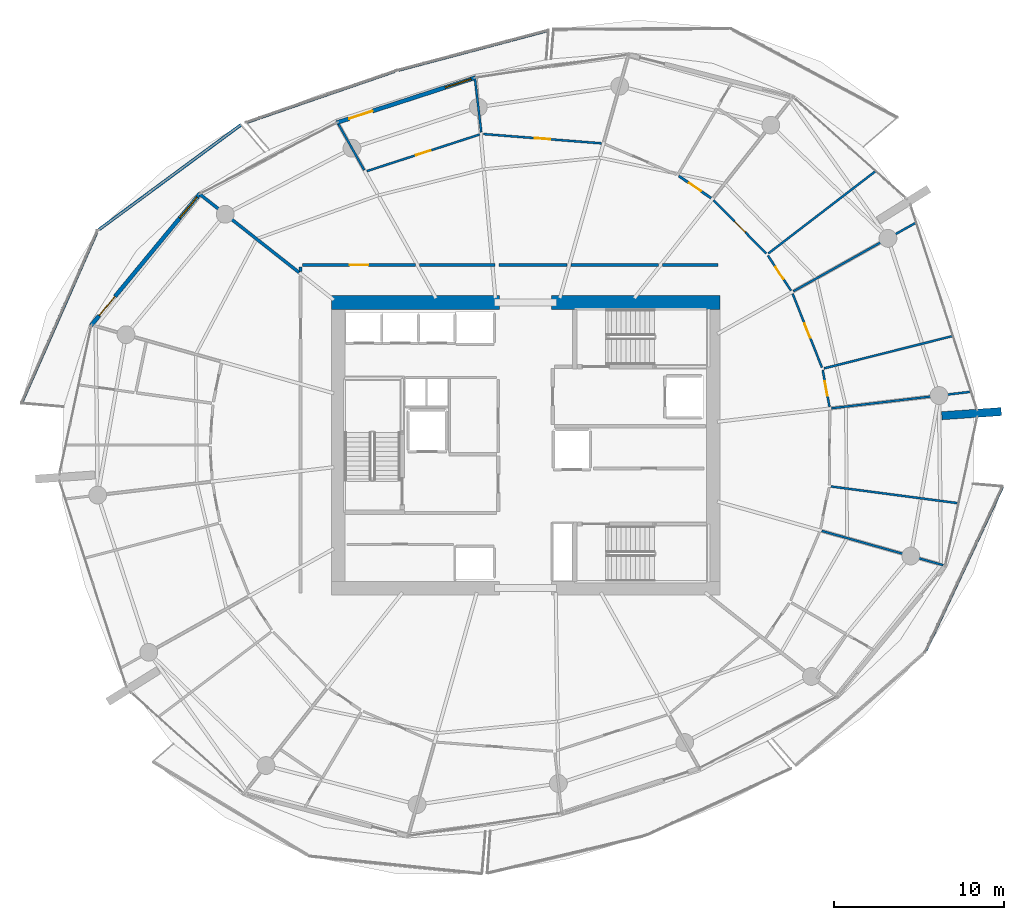
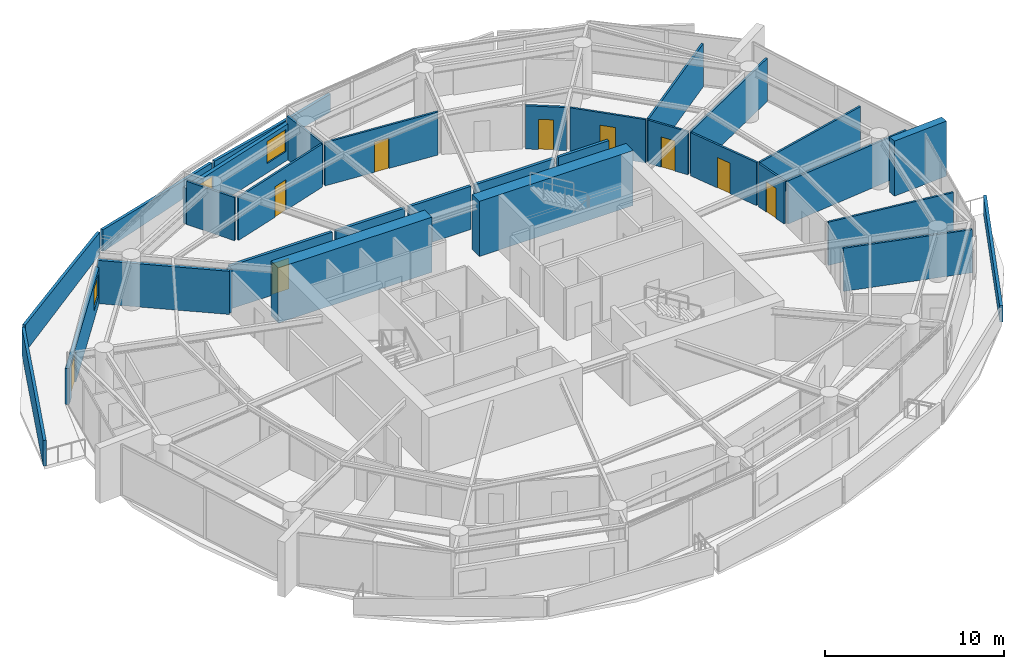
# One storey, part 14 of 20: 32 walls, 10 doors, 2 windows, 12 openings.
"""IFC4 building model written with IfcOpenShell, lengths in metres."""

from ifc_helpers import new_model, si_unit, direction, frame, frame_2d, origin, place, context, subcontext, project, spatial, polyline, rectangle, outline, extrude, material, layer, layer_set, type_object, element, fill, save


model = new_model("IFC4")

# Units and contexts
model_context = context("Model", 3, precision=1e-05, world=origin(), true_north=direction((0.0, 1.0)))
body_context = subcontext(model_context, "Body", "Model", "MODEL_VIEW")
ifc_project = project(units=[si_unit("LENGTHUNIT", "METRE"), si_unit("AREAUNIT", "SQUARE_METRE"), si_unit("VOLUMEUNIT", "CUBIC_METRE"), si_unit("PLANEANGLEUNIT", "RADIAN"), si_unit("MASSUNIT", "GRAM", prefix="KILO")], contexts=[model_context])

# Site, building, storey
site_placement = place(None, origin())
site = spatial("IfcSite", under=ifc_project, at=site_placement, CompositionType="ELEMENT")
building_placement = place(site_placement, origin())
building = spatial("IfcBuilding", under=site, at=building_placement, Name="Kazma Halo Residences", CompositionType="ELEMENT")
storey_placement = place(building_placement, frame((0.0, 0.0, 139.050048828125)))
storey = spatial("IfcBuildingStorey", under=building, at=storey_placement, Name="L34", CompositionType="ELEMENT", Elevation=139.050048828125)

# Walls
ifc_material_1 = material(Name="White Concrete C50/60 Balustrade", Category="concrete")
ifc_layer_1 = layer(ifc_material_1, 0.179931640625)
ifc_layer_set_1 = layer_set([ifc_layer_1], Name="White Concrete C50/60 Balustrade")
wall_type_1 = type_object("IfcWallType", Name="WL-BAL-WAVE-180", PredefinedType="PARAPET", material=ifc_layer_set_1)
wall_1_placement = place(storey_placement, frame((49.770751953125, 66.40380859375, 0.0), z_axis=(0.0, 0.0, 1.0), x_axis=(-0.966520511407, -0.256589362658, 0.0)))
element("IfcWall", 1, at=wall_1_placement, inside=storey, type_object=wall_type_1, Name="L34 white wave balustrade wall NNW.1", PredefinedType="PARAPET", context=body_context, shape_type="SweptSolid", body=[
    extrude(outline(polyline([(0.0, 0.0), (9.119140625, 0.0), (9.118896484375, 1.14794921875), (4.5595703125, 1.126953125), (0.0, 1.223876953125), (0.0, 0.0)])), frame((0.0, 0.08984375, 0.0), z_axis=(0.0, -1.0, 0.0), x_axis=(1.0, 0.0, 0.0)), (0.0, 0.0, 1.0), 0.179931640625),
])
wall_2_placement = place(storey_placement, frame((40.7275390625, 63.994140625, 0.0), z_axis=(0.0, 0.0, 1.0), x_axis=(-0.945395712623, -0.325924755971, 0.0)))
element("IfcWall", 2, at=wall_2_placement, inside=storey, type_object=wall_type_1, Name="L34 white wave balustrade wall NNW.2", PredefinedType="PARAPET", context=body_context, shape_type="SweptSolid", body=[
    extrude(outline(polyline([(0.0, 0.0), (9.244384765625, 0.0), (9.244384765625, 1.48291015625), (4.622314453125, 1.283935546875), (0.0, 1.14794921875), (0.0, 0.0)])), frame((0.0, 0.08984375, 0.0), z_axis=(0.0, -1.0, 0.0), x_axis=(1.0, 0.0, 0.0)), (0.0, 0.0, 1.0), 0.179931640625),
])
wall_3_placement = place(storey_placement, frame((31.699951171875, 60.850341796875, 0.0), z_axis=(0.0, 0.0, 1.0), x_axis=(-0.804716582715, -0.593659179584, 0.0)))
element("IfcWall", 3, at=wall_3_placement, inside=storey, type_object=wall_type_1, Name="L34 white wave balustrade wall NW.1", PredefinedType="PARAPET", context=body_context, shape_type="SweptSolid", body=[
    extrude(outline(polyline([(0.0, 0.0), (10.386474609375, 0.0), (10.386474609375, 1.83203125), (5.193115234375, 1.696044921875), (0.0, 1.4970703125), (0.0, 0.0)])), frame((0.0, 0.08984375, 0.0), z_axis=(0.0, -1.0, 0.0), x_axis=(1.0, 0.0, 0.0)), (0.0, 0.0, 1.0), 0.179931640625),
])
wall_4_placement = place(storey_placement, frame((23.19677734375, 54.50341796875, 0.0), z_axis=(0.0, 0.0, 1.0), x_axis=(-0.402973896797, -0.915211472011, 0.0)))
element("IfcWall", 4, at=wall_4_placement, inside=storey, type_object=wall_type_1, Name="L34 white wave balustrade wall NW.2", PredefinedType="PARAPET", context=body_context, shape_type="SweptSolid", body=[
    extrude(outline(polyline([(0.0, 0.0), (10.953125, 0.0), (10.952880859375, 1.755859375), (5.4765625, 1.85302734375), (0.0, 1.83203125), (0.0, 0.0)])), frame((0.0, 0.08984375, 0.0), z_axis=(0.0, -1.0, 0.0), x_axis=(1.0, 0.0, 0.0)), (0.0, 0.0, 1.0), 0.179931640625),
])
wall_5_placement = place(storey_placement, frame((71.94970703125, 29.931640625, 0.0), z_axis=(0.0, 0.0, 1.0), x_axis=(0.424190329226, 0.905573058671, 0.0)))
element("IfcWall", 5, at=wall_5_placement, inside=storey, type_object=wall_type_1, Name="L34 white wave balustrade wall SE.2", PredefinedType="PARAPET", context=body_context, shape_type="SweptSolid", body=[
    extrude(outline(polyline([(0.0, 0.0), (10.6591796875, 0.0), (10.658935546875, 1.223876953125), (5.32958984375, 1.126953125), (0.0, 1.14794921875), (0.0, 0.0)])), frame((0.0, 0.08984375, 0.0), z_axis=(0.0, -1.0, 0.0), x_axis=(1.0, 0.0, 0.0)), (0.0, 0.0, 1.0), 0.179931640625),
])
ifc_material_2 = material(Name="Pale Concrete C60/75", Category="concrete")
ifc_layer_2 = layer(ifc_material_2, 0.47998046875)
ifc_layer_set_2 = layer_set([ifc_layer_2], Name="Pale Concrete C60/75")
wall_type_2 = type_object("IfcWallType", Name="WL-BLADE-480", PredefinedType="SOLIDWALL", material=ifc_layer_set_2)
wall_6_placement = place(storey_placement, frame((72.89697265625, 43.740966796875, 0.0), z_axis=(0.0, 0.0, 1.0), x_axis=(0.997564163539, 0.069754853754, 0.0)))
element("IfcWall", 6, at=wall_6_placement, inside=storey, type_object=wall_type_2, Name="L34 pale concrete structural blade fin wall BW-04", PredefinedType="SOLIDWALL", context=body_context, shape_type="SweptSolid", body=[
    extrude(rectangle(XDim=3.5, YDim=0.47998046875, at=frame_2d((1.75, 0.0))), origin(), (0.0, 0.0, 1.0), 3.75),
])
ifc_material_3 = material(Name="Concrete C80/95", Category="concrete")
ifc_layer_3 = layer(ifc_material_3, 0.800048828125)
ifc_layer_set_3 = layer_set([ifc_layer_3], Name="Concrete C80/95")
wall_type_3 = type_object("IfcWallType", Name="WL-CORE-800", PredefinedType="SHEAR", material=ifc_layer_set_3)
wall_7_placement = place(storey_placement, frame((37.0, 50.39990234375, 0.0), z_axis=(0.0, 0.0, 1.0), x_axis=(1.0, 0.0, 0.0)))
element("IfcWall", 7, at=wall_7_placement, inside=storey, type_object=wall_type_3, Name="L34 central core shear wall NW", PredefinedType="SHEAR", context=body_context, shape_type="SweptSolid", body=[
    extrude(rectangle(XDim=9.89990234375, YDim=0.800048828125, at=frame_2d((4.949951171875, 0.0))), origin(), (0.0, 0.0, 1.0), 3.75),
])
wall_8_placement = place(storey_placement, frame((49.949951171875, 50.39990234375, 0.0), z_axis=(0.0, 0.0, 1.0), x_axis=(1.0, 0.0, 0.0)))
element("IfcWall", 8, at=wall_8_placement, inside=storey, type_object=wall_type_3, Name="L34 central core shear wall NE", PredefinedType="SHEAR", context=body_context, shape_type="SweptSolid", body=[
    extrude(rectangle(XDim=9.900146484375, YDim=0.800048828125, at=frame_2d((4.9501953125, 0.0))), origin(), (0.0, 0.0, 1.0), 3.75),
])
ifc_material_4 = material(Name="Acoustic Twin-Stud Gypsum")
ifc_layer_4 = layer(ifc_material_4, 0.179931640625)
ifc_layer_set_4 = layer_set([ifc_layer_4], Name="Acoustic Twin-Stud Gypsum")
wall_type_4 = type_object("IfcWallType", Name="WL-DEM-180", PredefinedType="PARTITIONING", material=ifc_layer_set_4)
wall_9_placement = place(storey_placement, frame((35.113525390625, 52.15869140625, 0.0), z_axis=(0.0, 0.0, 1.0), x_axis=(-0.78531739611, 0.619093359169, 0.0)))
element("IfcWall", 9, at=wall_9_placement, inside=storey, type_object=wall_type_4, Name="L34 apartment demising radial wall 05", PredefinedType="PARTITIONING", context=body_context, shape_type="SweptSolid", body=[
    extrude(rectangle(XDim=7.430419921875, YDim=0.179931640625, at=frame_2d((3.71533203125, 0.0))), origin(), (0.0, 0.0, 1.0), 2.93994140625),
])

# Wall, opening, door
wall_10_placement = place(storey_placement, frame((41.943603515625, 52.60009765625, 0.0), z_axis=(0.0, 0.0, 1.0), x_axis=(-1.0, 0.0, 0.0)))
wall_10 = element("IfcWall", 10, at=wall_10_placement, inside=storey, type_object=wall_type_4, Name="L34 Apartment 2 entrance corridor wall", PredefinedType="PARTITIONING", context=body_context, shape_type="SweptSolid", body=[
    extrude(rectangle(XDim=6.62353515625, YDim=0.179931640625, at=frame_2d((3.311767578125, 0.0))), origin(), (0.0, 0.0, 1.0), 2.93994140625),
])
opening_1_placement = place(wall_10_placement, frame((2.76171875, 0.0, 0.0)))
opening_1 = element("IfcOpeningElement", 11, at=opening_1_placement, cuts=wall_10, Name="Opening DA-1100", PredefinedType="OPENING", context=body_context, shape_type="SweptSolid", body=[
    extrude(rectangle(XDim=1.10009765625, YDim=2.10009765625, at=frame_2d((0.550048828125, 1.050048828125))), frame((0.0, 0.099853515625, 0.0), z_axis=(0.0, -1.0, 0.0), x_axis=(1.0, 0.0, 0.0)), (0.0, 0.0, 1.0), 0.199951171875),
])
ifc_material_5 = material(Name="Acoustic Walnut Fire Leaf")
door_type_1 = type_object("IfcDoorType", Name="DR-FD60-1100", OperationType="NOTDEFINED", PredefinedType="DOOR", material=ifc_material_5)
door_1_placement = place(opening_1_placement, origin())
door_1 = element("IfcDoor", 12, at=door_1_placement, inside=storey, type_object=door_type_1, Name="L34 Apartment 2 entrance fire door", OperationType="SINGLE_SWING_LEFT", OverallHeight=2.10009765625, OverallWidth=1.10009765625, PredefinedType="DOOR", context=body_context, shape_type="SweptSolid", body=[
    extrude(rectangle(XDim=1.10009765625, YDim=2.10009765625, at=frame_2d((0.550048828125, 1.050048828125))), frame((0.0, 0.02490234375, 0.0), z_axis=(0.0, -1.0, 0.0), x_axis=(1.0, 0.0, 0.0)), (0.0, 0.0, 1.0), 0.050048828125),
])
fill(opening_1, door_1)

# Walls
wall_11_placement = place(storey_placement, frame((35.199951171875, 52.47998046875, 0.0), z_axis=(0.0, 0.0, 1.0), x_axis=(0.0, -1.0, 0.0)))
element("IfcWall", 13, at=wall_11_placement, inside=storey, type_object=wall_type_4, Name="L34 Apartment 2 entrance corridor wall", PredefinedType="PARTITIONING", context=body_context, shape_type="SweptSolid", body=[
    extrude(rectangle(XDim=0.269287109375, YDim=0.179931640625, at=frame_2d((0.134765625, 0.0))), origin(), (0.0, 0.0, 1.0), 2.93994140625),
])
wall_12_placement = place(storey_placement, frame((59.72998046875, 52.60009765625, 0.0), z_axis=(0.0, 0.0, 1.0), x_axis=(-1.0, 0.0, 0.0)))
element("IfcWall", 14, at=wall_12_placement, inside=storey, type_object=wall_type_4, Name="L34 Apartment 2 inner wall 0", PredefinedType="PARTITIONING", context=body_context, shape_type="SweptSolid", body=[
    extrude(rectangle(XDim=3.253662109375, YDim=0.179931640625, at=frame_2d((1.626953125, 0.0))), origin(), (0.0, 0.0, 1.0), 2.93994140625),
])
wall_13_placement = place(storey_placement, frame((56.236328125, 52.60009765625, 0.0), z_axis=(0.0, 0.0, 1.0), x_axis=(-1.0, 0.0, 0.0)))
element("IfcWall", 15, at=wall_13_placement, inside=storey, type_object=wall_type_4, Name="L34 Apartment 2 inner wall 1", PredefinedType="PARTITIONING", context=body_context, shape_type="SweptSolid", body=[
    extrude(rectangle(XDim=5.126708984375, YDim=0.179931640625, at=frame_2d((2.5634765625, 0.0))), origin(), (0.0, 0.0, 1.0), 2.93994140625),
])
wall_14_placement = place(storey_placement, frame((50.869384765625, 52.60009765625, 0.0), z_axis=(0.0, 0.0, 1.0), x_axis=(-1.0, 0.0, 0.0)))
element("IfcWall", 16, at=wall_14_placement, inside=storey, type_object=wall_type_4, Name="L34 Apartment 2 inner wall 2", PredefinedType="PARTITIONING", context=body_context, shape_type="SweptSolid", body=[
    extrude(rectangle(XDim=4.00390625, YDim=0.179931640625, at=frame_2d((2.001953125, 0.0))), origin(), (0.0, 0.0, 1.0), 2.93994140625),
])
wall_15_placement = place(storey_placement, frame((46.62548828125, 52.60009765625, 0.0), z_axis=(0.0, 0.0, 1.0), x_axis=(-1.0, 0.0, 0.0)))
element("IfcWall", 17, at=wall_15_placement, inside=storey, type_object=wall_type_4, Name="L34 Apartment 2 inner wall 3", PredefinedType="PARTITIONING", context=body_context, shape_type="SweptSolid", body=[
    extrude(rectangle(XDim=4.44189453125, YDim=0.179931640625, at=frame_2d((2.220947265625, 0.0))), origin(), (0.0, 0.0, 1.0), 2.93994140625),
])

# Wall, openings, door, window
ifc_material_6 = material(Name="Insulated Pale-Metal Composite Wall")
ifc_layer_5 = layer(ifc_material_6, 0.239990234375)
ifc_layer_set_5 = layer_set([ifc_layer_5], Name="Insulated Pale-Metal Composite Wall")
wall_type_5 = type_object("IfcWallType", Name="WL-EXT-HOST-240", PredefinedType="SOLIDWALL", material=ifc_layer_set_5)
wall_16_placement = place(storey_placement, frame((45.489990234375, 63.624267578125, 0.0), z_axis=(0.0, 0.0, 1.0), x_axis=(-0.951046390632, -0.309048156224, 0.0)))
wall_16 = element("IfcWall", 18, at=wall_16_placement, inside=storey, type_object=wall_type_5, Name="L34 exterior terrace-access wall B04", PredefinedType="SOLIDWALL", context=body_context, shape_type="SweptSolid", body=[
    extrude(rectangle(XDim=8.590087890625, YDim=0.239990234375, at=frame_2d((4.294921875, 0.0))), origin(), (0.0, 0.0, 1.0), 2.449951171875),
])
opening_2_placement = place(wall_16_placement, frame((6.370361328125, 0.0, 0.0)))
opening_2 = element("IfcOpeningElement", 19, at=opening_2_placement, cuts=wall_16, Name="Opening DTR-1600", PredefinedType="OPENING", context=body_context, shape_type="SweptSolid", body=[
    extrude(rectangle(XDim=1.449951171875, YDim=2.14990234375, at=frame_2d((0.72509765625, 1.074951171875))), frame((0.0, 0.1298828125, 0.0), z_axis=(0.0, -1.0, 0.0), x_axis=(1.0, 0.0, 0.0)), (0.0, 0.0, 1.0), 0.260009765625),
])
opening_3_placement = place(wall_16_placement, frame((0.280029296875, 0.0, 0.64990234375)))
opening_3 = element("IfcOpeningElement", 20, at=opening_3_placement, cuts=wall_16, Name="Opening W-1800", PredefinedType="OPENING", context=body_context, shape_type="SweptSolid", body=[
    extrude(rectangle(XDim=1.60009765625, YDim=1.5, at=frame_2d((0.800048828125, 0.75))), frame((0.0, 0.1298828125, 0.0), z_axis=(0.0, -1.0, 0.0), x_axis=(1.0, 0.0, 0.0)), (0.0, 0.0, 1.0), 0.260009765625),
])
ifc_material_7 = material(Name="Aluminium AW-6063 T6 Double-Glazed Terrace Door", Category="aluminium")
door_type_2 = type_object("IfcDoorType", Name="DR-EXT-TERR-1600", OperationType="NOTDEFINED", PredefinedType="DOOR", material=ifc_material_7)
door_2_placement = place(opening_2_placement, origin())
door_2 = element("IfcDoor", 21, at=door_2_placement, inside=storey, type_object=door_type_2, Name="L34 B04 balcony terrace door", OperationType="DOUBLE_DOOR_SLIDING", OverallHeight=2.14990234375, OverallWidth=1.449951171875, PredefinedType="DOOR", context=body_context, shape_type="SweptSolid", body=[
    extrude(rectangle(XDim=1.449951171875, YDim=2.14990234375, at=frame_2d((0.72509765625, 1.074951171875))), frame((0.0, 0.02490234375, 0.0), z_axis=(0.0, -1.0, 0.0), x_axis=(1.0, 0.0, 0.0)), (0.0, 0.0, 1.0), 0.050048828125),
])
fill(opening_2, door_2)
ifc_material_8 = material(Name="Clear Triple-Silver Low-E Glass in Aluminium AW-6063 T6 Frame", Category="aluminium")
window_type = type_object("IfcWindowType", Name="WIN-RES-1800", PartitioningType="DOUBLE_PANEL_VERTICAL", PredefinedType="WINDOW", material=ifc_material_8)
window_1_placement = place(opening_3_placement, origin())
window_1 = element("IfcWindow", 22, at=window_1_placement, inside=storey, type_object=window_type, Name="L34 B04 apartment window", OverallHeight=1.5, OverallWidth=1.60009765625, PartitioningType="SINGLE_PANEL", PredefinedType="WINDOW", context=body_context, shape_type="SweptSolid", body=[
    extrude(rectangle(XDim=1.60009765625, YDim=1.5, at=frame_2d((0.800048828125, 0.75))), frame((0.0, 0.030029296875, 0.0), z_axis=(0.0, -1.0, 0.0), x_axis=(1.0, 0.0, 0.0)), (0.0, 0.0, 1.0), 0.06005859375),
])
fill(opening_3, window_1)

wall_17_placement = place(storey_placement, frame((29.29052734375, 56.81298828125, 0.0), z_axis=(0.0, 0.0, 1.0), x_axis=(-0.636771922292, -0.77105221547, 0.0)))
wall_17 = element("IfcWall", 23, at=wall_17_placement, inside=storey, type_object=wall_type_5, Name="L34 exterior terrace-access wall B06", PredefinedType="SOLIDWALL", context=body_context, shape_type="SweptSolid", body=[
    extrude(rectangle(XDim=10.08154296875, YDim=0.239990234375, at=frame_2d((5.040771484375, 0.0))), origin(), (0.0, 0.0, 1.0), 2.449951171875),
])
opening_4_placement = place(wall_17_placement, frame((7.861572265625, 0.0, 0.0)))
opening_4 = element("IfcOpeningElement", 24, at=opening_4_placement, cuts=wall_17, Name="Opening DTR-1600", PredefinedType="OPENING", context=body_context, shape_type="SweptSolid", body=[
    extrude(rectangle(XDim=1.449951171875, YDim=2.14990234375, at=frame_2d((0.72509765625, 1.074951171875))), frame((0.0, 0.1298828125, 0.0), z_axis=(0.0, -1.0, 0.0), x_axis=(1.0, 0.0, 0.0)), (0.0, 0.0, 1.0), 0.260009765625),
])
opening_5_placement = place(wall_17_placement, frame((0.280029296875, 0.0, 0.64990234375)))
opening_5 = element("IfcOpeningElement", 25, at=opening_5_placement, cuts=wall_17, Name="Opening W-1800", PredefinedType="OPENING", context=body_context, shape_type="SweptSolid", body=[
    extrude(rectangle(XDim=1.60009765625, YDim=1.5, at=frame_2d((0.800048828125, 0.75))), frame((0.0, 0.1298828125, 0.0), z_axis=(0.0, -1.0, 0.0), x_axis=(1.0, 0.0, 0.0)), (0.0, 0.0, 1.0), 0.260009765625),
])
door_3_placement = place(opening_4_placement, origin())
door_3 = element("IfcDoor", 26, at=door_3_placement, inside=storey, type_object=door_type_2, Name="L34 B06 balcony terrace door", OperationType="DOUBLE_DOOR_SLIDING", OverallHeight=2.14990234375, OverallWidth=1.449951171875, PredefinedType="DOOR", context=body_context, shape_type="SweptSolid", body=[
    extrude(rectangle(XDim=1.449951171875, YDim=2.14990234375, at=frame_2d((0.72509765625, 1.074951171875))), frame((0.0, 0.02490234375, 0.0), z_axis=(0.0, -1.0, 0.0), x_axis=(1.0, 0.0, 0.0)), (0.0, 0.0, 1.0), 0.050048828125),
])
fill(opening_4, door_3)
window_2_placement = place(opening_5_placement, origin())
window_2 = element("IfcWindow", 27, at=window_2_placement, inside=storey, type_object=window_type, Name="L34 B06 apartment window", OverallHeight=1.5, OverallWidth=1.60009765625, PartitioningType="SINGLE_PANEL", PredefinedType="WINDOW", context=body_context, shape_type="SweptSolid", body=[
    extrude(rectangle(XDim=1.60009765625, YDim=1.5, at=frame_2d((0.800048828125, 0.75))), frame((0.0, 0.030029296875, 0.0), z_axis=(0.0, -1.0, 0.0), x_axis=(1.0, 0.0, 0.0)), (0.0, 0.0, 1.0), 0.06005859375),
])
fill(opening_5, window_2)

# Walls
ifc_material_9 = material(Name="Gypsum Plasterboard Partition")
ifc_layer_6 = layer(ifc_material_9, 0.125)
ifc_layer_set_6 = layer_set([ifc_layer_6], Name="Gypsum Plasterboard Partition")
wall_type_6 = type_object("IfcWallType", Name="WL-PART-125", PredefinedType="PARTITIONING", material=ifc_layer_set_6)
wall_18_placement = place(storey_placement, frame((65.843017578125, 36.9677734375, 0.0), z_axis=(0.0, 0.0, 1.0), x_axis=(0.962456736489, -0.271435131084, 0.0)))
element("IfcWall", 28, at=wall_18_placement, inside=storey, type_object=wall_type_6, Name="L34 Apartment 2 radial partition 14", PredefinedType="PARTITIONING", context=body_context, shape_type="SweptSolid", body=[
    extrude(rectangle(XDim=7.412353515625, YDim=0.125, at=frame_2d((3.7060546875, 0.0))), origin(), (0.0, 0.0, 1.0), 2.93994140625),
])
wall_19_placement = place(storey_placement, frame((66.370849609375, 39.583984375, 0.0), z_axis=(0.0, 0.0, 1.0), x_axis=(0.991460894336, -0.130404351934, 0.0)))
element("IfcWall", 29, at=wall_19_placement, inside=storey, type_object=wall_type_6, Name="L34 Apartment 2 mid-bay wall 14", PredefinedType="PARTITIONING", context=body_context, shape_type="SweptSolid", body=[
    extrude(rectangle(XDim=7.55419921875, YDim=0.125, at=frame_2d((3.777099609375, 0.0))), origin(), (0.0, 0.0, 1.0), 2.93994140625),
])
wall_20_placement = place(storey_placement, frame((66.410400390625, 44.17919921875, 0.0), z_axis=(0.0, 0.0, 1.0), x_axis=(0.993070354128, 0.117521367213, 0.0)))
element("IfcWall", 30, at=wall_20_placement, inside=storey, type_object=wall_type_6, Name="L34 Apartment 2 radial partition 15", PredefinedType="PARTITIONING", context=body_context, shape_type="SweptSolid", body=[
    extrude(rectangle(XDim=8.247314453125, YDim=0.125, at=frame_2d((4.12353515625, 0.0))), origin(), (0.0, 0.0, 1.0), 2.93994140625),
])
wall_21_placement = place(storey_placement, frame((65.968505859375, 46.5234375, 0.0), z_axis=(0.0, 0.0, 1.0), x_axis=(0.969747306191, 0.244110962749, 0.0)))
element("IfcWall", 31, at=wall_21_placement, inside=storey, type_object=wall_type_6, Name="L34 Apartment 2 mid-bay wall 15", PredefinedType="PARTITIONING", context=body_context, shape_type="SweptSolid", body=[
    extrude(rectangle(XDim=7.802001953125, YDim=0.125, at=frame_2d((3.90087890625, 0.0))), origin(), (0.0, 0.0, 1.0), 2.93994140625),
])

# Wall, opening, door
wall_22_placement = place(storey_placement, frame((66.293212890625, 44.265625, 0.0), z_axis=(0.0, 0.0, 1.0), x_axis=(-0.181323912203, 0.983423428063, 0.0)))
wall_22 = element("IfcWall", 32, at=wall_22_placement, inside=storey, type_object=wall_type_6, Name="L34 Apartment 2 East Wine Pantry Store hall wall", PredefinedType="PARTITIONING", context=body_context, shape_type="SweptSolid", body=[
    extrude(rectangle(XDim=2.193359375, YDim=0.125, at=frame_2d((1.0966796875, 0.0))), origin(), (0.0, 0.0, 1.0), 2.93994140625),
])
opening_6_placement = place(wall_22_placement, frame((0.671630859375, 0.0, 0.0)))
opening_6 = element("IfcOpeningElement", 33, at=opening_6_placement, cuts=wall_22, Name="Opening DB-900", PredefinedType="OPENING", context=body_context, shape_type="SweptSolid", body=[
    extrude(rectangle(XDim=0.85009765625, YDim=2.06005859375, at=frame_2d((0.425048828125, 1.030029296875))), frame((0.0, 0.072509765625, 0.0), z_axis=(0.0, -1.0, 0.0), x_axis=(1.0, 0.0, 0.0)), (0.0, 0.0, 1.0), 0.14501953125),
])
ifc_material_10 = material(Name="Moisture-Sealed Timber Leaf", Category="wood")
door_type_3 = type_object("IfcDoorType", Name="DR-BTH-900", OperationType="NOTDEFINED", PredefinedType="DOOR", material=ifc_material_10)
door_4_placement = place(opening_6_placement, origin())
door_4 = element("IfcDoor", 34, at=door_4_placement, inside=storey, type_object=door_type_3, Name="L34 Apartment 2 East Wine Pantry Store door", OperationType="SINGLE_SWING_RIGHT", OverallHeight=2.06005859375, OverallWidth=0.85009765625, PredefinedType="DOOR", context=body_context, shape_type="SweptSolid", body=[
    extrude(rectangle(XDim=0.85009765625, YDim=2.06005859375, at=frame_2d((0.425048828125, 1.030029296875))), frame((0.0, 0.02490234375, 0.0), z_axis=(0.0, -1.0, 0.0), x_axis=(1.0, 0.0, 0.0)), (0.0, 0.0, 1.0), 0.050048828125),
])
fill(opening_6, door_4)

wall_23_placement = place(storey_placement, frame((65.8515625, 46.57568359375, 0.0), z_axis=(0.0, 0.0, 1.0), x_axis=(-0.369569936121, 0.929202917729, 0.0)))
wall_23 = element("IfcWall", 35, at=wall_23_placement, inside=storey, type_object=wall_type_6, Name="L34 Apartment 2 West Formal Dining Room hall wall", PredefinedType="PARTITIONING", context=body_context, shape_type="SweptSolid", body=[
    extrude(rectangle(XDim=4.671875, YDim=0.125, at=frame_2d((2.3359375, 0.0))), origin(), (0.0, 0.0, 1.0), 2.93994140625),
])
opening_7_placement = place(wall_23_placement, frame((1.885986328125, 0.0, 0.0)))
opening_7 = element("IfcOpeningElement", 36, at=opening_7_placement, cuts=wall_23, Name="Opening DI-950", PredefinedType="OPENING", context=body_context, shape_type="SweptSolid", body=[
    extrude(rectangle(XDim=0.89990234375, YDim=2.080078125, at=frame_2d((0.449951171875, 1.0400390625))), frame((0.0, 0.072509765625, 0.0), z_axis=(0.0, -1.0, 0.0), x_axis=(1.0, 0.0, 0.0)), (0.0, 0.0, 1.0), 0.14501953125),
])
ifc_material_11 = material(Name="Timber Veneer Flush Leaf", Category="wood")
door_type_4 = type_object("IfcDoorType", Name="DR-INT-950", OperationType="NOTDEFINED", PredefinedType="DOOR", material=ifc_material_11)
door_5_placement = place(opening_7_placement, origin())
door_5 = element("IfcDoor", 37, at=door_5_placement, inside=storey, type_object=door_type_4, Name="L34 Apartment 2 West Formal Dining Room door", OperationType="SINGLE_SWING_LEFT", OverallHeight=2.080078125, OverallWidth=0.89990234375, PredefinedType="DOOR", context=body_context, shape_type="SweptSolid", body=[
    extrude(rectangle(XDim=0.89990234375, YDim=2.080078125, at=frame_2d((0.449951171875, 1.0400390625))), frame((0.0, 0.02490234375, 0.0), z_axis=(0.0, -1.0, 0.0), x_axis=(1.0, 0.0, 0.0)), (0.0, 0.0, 1.0), 0.050048828125),
])
fill(opening_7, door_5)

# Walls
wall_24_placement = place(storey_placement, frame((64.17529296875, 51.05859375, 0.0), z_axis=(0.0, 0.0, 1.0), x_axis=(0.872491881101, 0.488628608877, 0.0)))
element("IfcWall", 38, at=wall_24_placement, inside=storey, type_object=wall_type_6, Name="L34 Apartment 2 radial partition 0", PredefinedType="PARTITIONING", context=body_context, shape_type="SweptSolid", body=[
    extrude(rectangle(XDim=8.2470703125, YDim=0.125, at=frame_2d((4.12353515625, 0.0))), origin(), (0.0, 0.0, 1.0), 2.93994140625),
])
wall_25_placement = place(storey_placement, frame((62.698486328125, 53.28173828125, 0.0), z_axis=(0.0, 0.0, 1.0), x_axis=(0.793282323501, 0.608853968715, 0.0)))
element("IfcWall", 39, at=wall_25_placement, inside=storey, type_object=wall_type_6, Name="L34 Apartment 2 mid-bay wall 0", PredefinedType="PARTITIONING", context=body_context, shape_type="SweptSolid", body=[
    extrude(rectangle(XDim=7.92138671875, YDim=0.125, at=frame_2d((3.960693359375, 0.0))), origin(), (0.0, 0.0, 1.0), 2.93994140625),
])

# Wall, opening, door
wall_26_placement = place(storey_placement, frame((64.032958984375, 51.09326171875, 0.0), z_axis=(0.0, 0.0, 1.0), x_axis=(-0.550185204933, 0.835042657756, 0.0)))
wall_26 = element("IfcWall", 40, at=wall_26_placement, inside=storey, type_object=wall_type_6, Name="L34 Apartment 2 North Dressing Wardrobe hall wall", PredefinedType="PARTITIONING", context=body_context, shape_type="SweptSolid", body=[
    extrude(rectangle(XDim=2.47509765625, YDim=0.125, at=frame_2d((1.237548828125, 0.0))), origin(), (0.0, 0.0, 1.0), 2.93994140625),
])
opening_8_placement = place(wall_26_placement, frame((0.8125, 0.0, 0.0)))
opening_8 = element("IfcOpeningElement", 41, at=opening_8_placement, cuts=wall_26, Name="Opening DB-900", PredefinedType="OPENING", context=body_context, shape_type="SweptSolid", body=[
    extrude(rectangle(XDim=0.85009765625, YDim=2.06005859375, at=frame_2d((0.425048828125, 1.030029296875))), frame((0.0, 0.072509765625, 0.0), z_axis=(0.0, -1.0, 0.0), x_axis=(1.0, 0.0, 0.0)), (0.0, 0.0, 1.0), 0.14501953125),
])
door_6_placement = place(opening_8_placement, origin())
door_6 = element("IfcDoor", 42, at=door_6_placement, inside=storey, type_object=door_type_3, Name="L34 Apartment 2 North Dressing Wardrobe door", OperationType="SINGLE_SWING_LEFT", OverallHeight=2.06005859375, OverallWidth=0.85009765625, PredefinedType="DOOR", context=body_context, shape_type="SweptSolid", body=[
    extrude(rectangle(XDim=0.85009765625, YDim=2.06005859375, at=frame_2d((0.425048828125, 1.030029296875))), frame((0.0, 0.02490234375, 0.0), z_axis=(0.0, -1.0, 0.0), x_axis=(1.0, 0.0, 0.0)), (0.0, 0.0, 1.0), 0.050048828125),
])
fill(opening_8, door_6)

wall_27_placement = place(storey_placement, frame((62.571044921875, 53.28369140625, 0.0), z_axis=(0.0, 0.0, 1.0), x_axis=(-0.702505636164, 0.711678179487, 0.0)))
wall_27 = element("IfcWall", 43, at=wall_27_placement, inside=storey, type_object=wall_type_6, Name="L34 Apartment 2 South Master Bedroom hall wall", PredefinedType="PARTITIONING", context=body_context, shape_type="SweptSolid", body=[
    extrude(rectangle(XDim=4.3916015625, YDim=0.125, at=frame_2d((2.19580078125, 0.0))), origin(), (0.0, 0.0, 1.0), 2.93994140625),
])
opening_9_placement = place(wall_27_placement, frame((1.745849609375, 0.0, 0.0)))
opening_9 = element("IfcOpeningElement", 44, at=opening_9_placement, cuts=wall_27, Name="Opening DI-950", PredefinedType="OPENING", context=body_context, shape_type="SweptSolid", body=[
    extrude(rectangle(XDim=0.89990234375, YDim=2.080078125, at=frame_2d((0.449951171875, 1.0400390625))), frame((0.0, 0.072509765625, 0.0), z_axis=(0.0, -1.0, 0.0), x_axis=(1.0, 0.0, 0.0)), (0.0, 0.0, 1.0), 0.14501953125),
])
door_7_placement = place(opening_9_placement, origin())
door_7 = element("IfcDoor", 45, at=door_7_placement, inside=storey, type_object=door_type_4, Name="L34 Apartment 2 South Master Bedroom door", OperationType="SINGLE_SWING_RIGHT", OverallHeight=2.080078125, OverallWidth=0.89990234375, PredefinedType="DOOR", context=body_context, shape_type="SweptSolid", body=[
    extrude(rectangle(XDim=0.89990234375, YDim=2.080078125, at=frame_2d((0.449951171875, 1.0400390625))), frame((0.0, 0.02490234375, 0.0), z_axis=(0.0, -1.0, 0.0), x_axis=(1.0, 0.0, 0.0)), (0.0, 0.0, 1.0), 0.050048828125),
])
fill(opening_9, door_7)

wall_28_placement = place(storey_placement, frame((52.8955078125, 59.75537109375, 0.0), z_axis=(0.0, 0.0, 1.0), x_axis=(-0.996918496177, 0.078444324085, 0.0)))
wall_28 = element("IfcWall", 46, at=wall_28_placement, inside=storey, type_object=wall_type_6, Name="L34 Apartment 2 Garden Master Bedroom gallery wall", PredefinedType="PARTITIONING", context=body_context, shape_type="SweptSolid", body=[
    extrude(rectangle(XDim=6.974609375, YDim=0.125, at=frame_2d((3.4873046875, 0.0))), origin(), (0.0, 0.0, 1.0), 2.93994140625),
])
opening_10_placement = place(wall_28_placement, frame((3.037353515625, 0.0, 0.0)))
opening_10 = element("IfcOpeningElement", 47, at=opening_10_placement, cuts=wall_28, Name="Opening DI-950", PredefinedType="OPENING", context=body_context, shape_type="SweptSolid", body=[
    extrude(rectangle(XDim=0.89990234375, YDim=2.080078125, at=frame_2d((0.449951171875, 1.0400390625))), frame((0.0, 0.072509765625, 0.0), z_axis=(0.0, -1.0, 0.0), x_axis=(1.0, 0.0, 0.0)), (0.0, 0.0, 1.0), 0.14501953125),
])
door_8_placement = place(opening_10_placement, origin())
door_8 = element("IfcDoor", 48, at=door_8_placement, inside=storey, type_object=door_type_4, Name="L34 Apartment 2 Garden Master Bedroom door", OperationType="SINGLE_SWING_LEFT", OverallHeight=2.080078125, OverallWidth=0.89990234375, PredefinedType="DOOR", context=body_context, shape_type="SweptSolid", body=[
    extrude(rectangle(XDim=0.89990234375, YDim=2.080078125, at=frame_2d((0.449951171875, 1.0400390625))), frame((0.0, 0.02490234375, 0.0), z_axis=(0.0, -1.0, 0.0), x_axis=(1.0, 0.0, 0.0)), (0.0, 0.0, 1.0), 0.050048828125),
])
fill(opening_10, door_8)

# Walls
wall_29_placement = place(storey_placement, frame((45.82080078125, 60.410400390625, 0.0), z_axis=(0.0, 0.0, 1.0), x_axis=(-0.117497237937, 0.993073209324, 0.0)))
element("IfcWall", 49, at=wall_29_placement, inside=storey, type_object=wall_type_6, Name="L34 Apartment 2 radial partition 3", PredefinedType="PARTITIONING", context=body_context, shape_type="SweptSolid", body=[
    extrude(rectangle(XDim=3.19580078125, YDim=0.125, at=frame_2d((1.597900390625, 0.0))), origin(), (0.0, 0.0, 1.0), 2.93994140625),
])
wall_30_placement = place(storey_placement, frame((38.94140625, 58.17529296875, 0.0), z_axis=(0.0, 0.0, 1.0), x_axis=(-0.488620181058, 0.872496600946, 0.0)))
element("IfcWall", 50, at=wall_30_placement, inside=storey, type_object=wall_type_6, Name="L34 Apartment 2 living radial partition 3", PredefinedType="PARTITIONING", context=body_context, shape_type="SweptSolid", body=[
    extrude(rectangle(XDim=3.095458984375, YDim=0.125, at=frame_2d((1.5478515625, 0.0))), origin(), (0.0, 0.0, 1.0), 2.93994140625),
])

# Wall, opening, door
wall_31_placement = place(storey_placement, frame((45.72802734375, 60.277099609375, 0.0), z_axis=(0.0, 0.0, 1.0), x_axis=(-0.951064162215, -0.308993461661, 0.0)))
wall_31 = element("IfcWall", 51, at=wall_31_placement, inside=storey, type_object=wall_type_6, Name="L34 Apartment 2 Sky Master Bedroom gallery wall", PredefinedType="PARTITIONING", context=body_context, shape_type="SweptSolid", body=[
    extrude(rectangle(XDim=6.974365234375, YDim=0.125, at=frame_2d((3.4873046875, 0.0))), origin(), (0.0, 0.0, 1.0), 2.93994140625),
])
opening_11_placement = place(wall_31_placement, frame((3.037353515625, 0.0, 0.0)))
opening_11 = element("IfcOpeningElement", 52, at=opening_11_placement, cuts=wall_31, Name="Opening DI-950", PredefinedType="OPENING", context=body_context, shape_type="SweptSolid", body=[
    extrude(rectangle(XDim=0.89990234375, YDim=2.080078125, at=frame_2d((0.449951171875, 1.0400390625))), frame((0.0, 0.072509765625, 0.0), z_axis=(0.0, -1.0, 0.0), x_axis=(1.0, 0.0, 0.0)), (0.0, 0.0, 1.0), 0.14501953125),
])
door_9_placement = place(opening_11_placement, origin())
door_9 = element("IfcDoor", 53, at=door_9_placement, inside=storey, type_object=door_type_4, Name="L34 Apartment 2 Sky Master Bedroom door", OperationType="SINGLE_SWING_RIGHT", OverallHeight=2.080078125, OverallWidth=0.89990234375, PredefinedType="DOOR", context=body_context, shape_type="SweptSolid", body=[
    extrude(rectangle(XDim=0.89990234375, YDim=2.080078125, at=frame_2d((0.449951171875, 1.0400390625))), frame((0.0, 0.02490234375, 0.0), z_axis=(0.0, -1.0, 0.0), x_axis=(1.0, 0.0, 0.0)), (0.0, 0.0, 1.0), 0.050048828125),
])
fill(opening_11, door_9)

ifc_material_12 = material(Name="Moisture-Resistant Gypsum")
ifc_layer_7 = layer(ifc_material_12, 0.14990234375)
ifc_layer_set_7 = layer_set([ifc_layer_7], Name="Moisture-Resistant Gypsum")
wall_type_7 = type_object("IfcWallType", Name="WL-WET-150", PredefinedType="PARTITIONING", material=ifc_layer_set_7)
wall_32_placement = place(storey_placement, frame((59.3330078125, 56.537109375, 0.0), z_axis=(0.0, 0.0, 1.0), x_axis=(-0.825341121682, 0.564634424084, 0.0)))
wall_32 = element("IfcWall", 54, at=wall_32_placement, inside=storey, type_object=wall_type_7, Name="L34 Apartment 2 Inner En-Suite Bathroom hall wall", PredefinedType="PARTITIONING", context=body_context, shape_type="SweptSolid", body=[
    extrude(rectangle(XDim=2.299072265625, YDim=0.14990234375, at=frame_2d((1.1494140625, 0.0))), origin(), (0.0, 0.0, 1.0), 2.93994140625),
])
opening_12_placement = place(wall_32_placement, frame((0.724609375, 0.0, 0.0)))
opening_12 = element("IfcOpeningElement", 55, at=opening_12_placement, cuts=wall_32, Name="Opening DB-900", PredefinedType="OPENING", context=body_context, shape_type="SweptSolid", body=[
    extrude(rectangle(XDim=0.85009765625, YDim=2.06005859375, at=frame_2d((0.425048828125, 1.030029296875))), frame((0.0, 0.0849609375, 0.0), z_axis=(0.0, -1.0, 0.0), x_axis=(1.0, 0.0, 0.0)), (0.0, 0.0, 1.0), 0.169921875),
])
door_10_placement = place(opening_12_placement, origin())
door_10 = element("IfcDoor", 56, at=door_10_placement, inside=storey, type_object=door_type_3, Name="L34 Apartment 2 Inner En-Suite Bathroom door", OperationType="SINGLE_SWING_RIGHT", OverallHeight=2.06005859375, OverallWidth=0.85009765625, PredefinedType="DOOR", context=body_context, shape_type="SweptSolid", body=[
    extrude(rectangle(XDim=0.85009765625, YDim=2.06005859375, at=frame_2d((0.425048828125, 1.030029296875))), frame((0.0, 0.02490234375, 0.0), z_axis=(0.0, -1.0, 0.0), x_axis=(1.0, 0.0, 0.0)), (0.0, 0.0, 1.0), 0.050048828125),
])
fill(opening_12, door_10)

save(model, "model.ifc")
